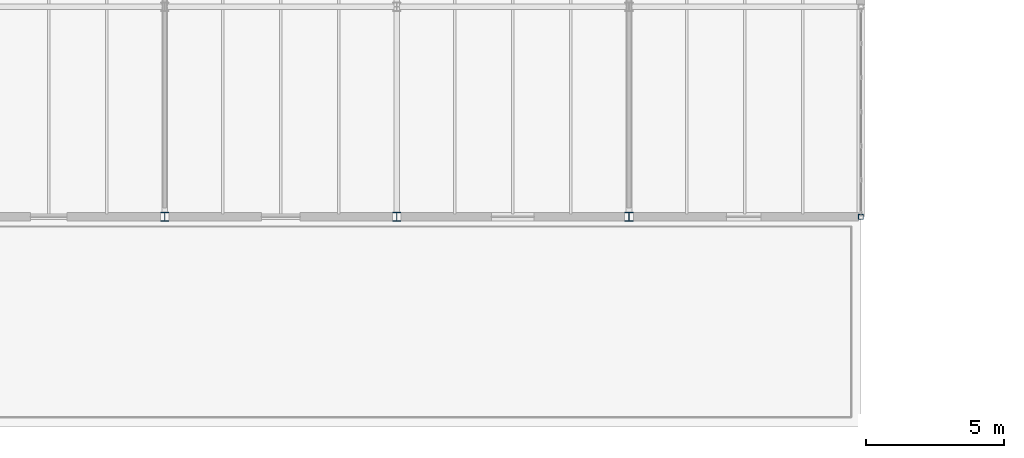
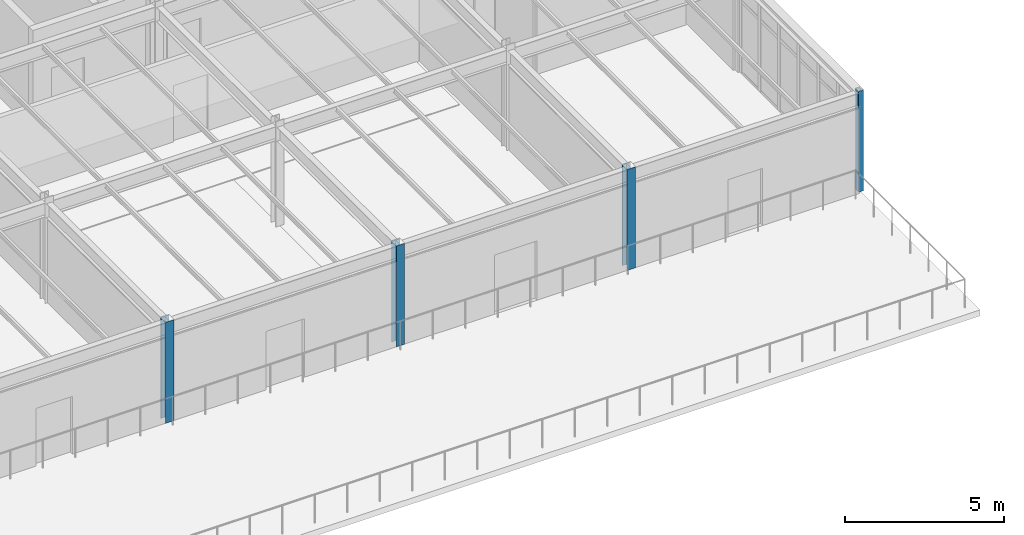
# One storey, part 4 of 65: 4 columns.
"""IFC4 building model written with IfcOpenShell, lengths in metres."""

from ifc_helpers import new_model, si_unit, direction, frame, origin, origin_2d, place, context, subcontext, project, spatial, hollow_rectangle, i_section, extrude, material, material_profile, profile_set, type_object, element, save


model = new_model("IFC4")

# Units and contexts
model_context = context("Model", 3, precision=1e-05, world=origin(), true_north=direction((0.0, 1.0)))
body_context = subcontext(model_context, "Body", "Model", "MODEL_VIEW")
ifc_project = project(units=[si_unit("LENGTHUNIT", "METRE"), si_unit("AREAUNIT", "SQUARE_METRE"), si_unit("VOLUMEUNIT", "CUBIC_METRE"), si_unit("PLANEANGLEUNIT", "RADIAN"), si_unit("MASSUNIT", "GRAM", prefix="KILO")], contexts=[model_context])

# Site, building, storey
site_placement = place(None, origin())
site = spatial("IfcSite", under=ifc_project, at=site_placement, CompositionType="ELEMENT")
building_placement = place(site_placement, origin())
building = spatial("IfcBuilding", under=site, at=building_placement, Name="Montecoro Central Library", CompositionType="ELEMENT")
storey_placement = place(building_placement, frame((0.0, 0.0, 17.340087890625)))
storey = spatial("IfcBuildingStorey", under=building, at=storey_placement, Name="L04", CompositionType="ELEMENT", Elevation=17.340087890625)

# Columns
ifc_material = material(Name="Steel S355", Category="steel")
ifc_material_profile_1 = material_profile(ifc_material, i_section(OverallWidth=0.300048828125, OverallDepth=0.320068359375, WebThickness=0.011474609375, FlangeThickness=0.0205078125, at=origin_2d()), Name="HEB 320")
ifc_profile_set_1 = profile_set([ifc_material_profile_1], Name="Steel S355")
column_type_1 = type_object("IfcColumnType", Name="COL-HEB320", PredefinedType="COLUMN", material=ifc_profile_set_1)
for number, where, z_axis, x_axis, name in (
    (1, (91.60009765625, 96.199951171875, 0.0), (0.0, 0.0, 1.0), (1.0, 0.0, 0.0), "V2-L04-COL-12-N"),
    (2, (100.0, 96.199951171875, 0.0), (0.0, 0.0, 1.0), (1.0, 0.0, 0.0), "V2-L04-COL-13-N"),
    (3, (108.39990234375, 96.199951171875, 0.0), (0.0, 0.0, 1.0), (1.0, 0.0, 0.0), "V2-L04-COL-14-N"),
):
    element("IfcColumn", number, at=place(storey_placement, frame(where, z_axis=z_axis, x_axis=x_axis)), inside=storey, type_object=column_type_1, Name=name, PredefinedType="COLUMN", context=body_context, shape_type="SweptSolid", body=[
        extrude(i_section(OverallWidth=0.300048828125, OverallDepth=0.320068359375, WebThickness=0.011474609375, FlangeThickness=0.0205078125, at=origin_2d()), origin(), (0.0, 0.0, 1.0), 3.875),
    ])
ifc_material_profile_2 = material_profile(ifc_material, hollow_rectangle(XDim=0.179931640625, YDim=0.179931640625, WallThickness=0.010009765625, at=origin_2d()), Name="SHS 180x180x10.0")
ifc_profile_set_2 = profile_set([ifc_material_profile_2], Name="Steel S355")
column_type_2 = type_object("IfcColumnType", Name="COL-SHS180", PredefinedType="COLUMN", material=ifc_profile_set_2)
column_placement = place(storey_placement, frame((116.800048828125, 96.199951171875, 0.0), z_axis=(0.0, 0.0, 1.0), x_axis=(1.0, 0.0, 0.0)))
element("IfcColumn", 4, at=column_placement, inside=storey, type_object=column_type_2, Name="V2-L04-COL-15-N", PredefinedType="COLUMN", context=body_context, shape_type="SweptSolid", body=[
    extrude(hollow_rectangle(XDim=0.179931640625, YDim=0.179931640625, WallThickness=0.010009765625, at=origin_2d()), origin(), (0.0, 0.0, 1.0), 3.875),
])

save(model, "model.ifc")
